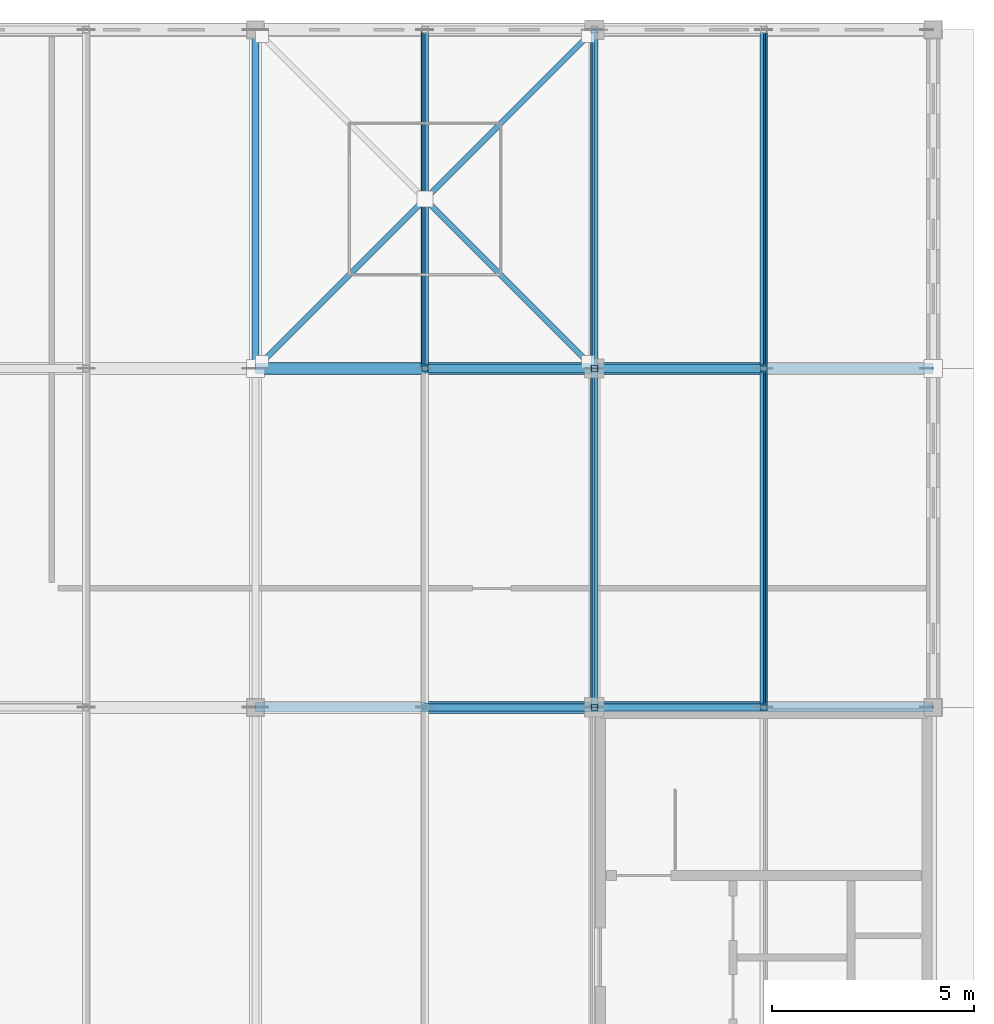
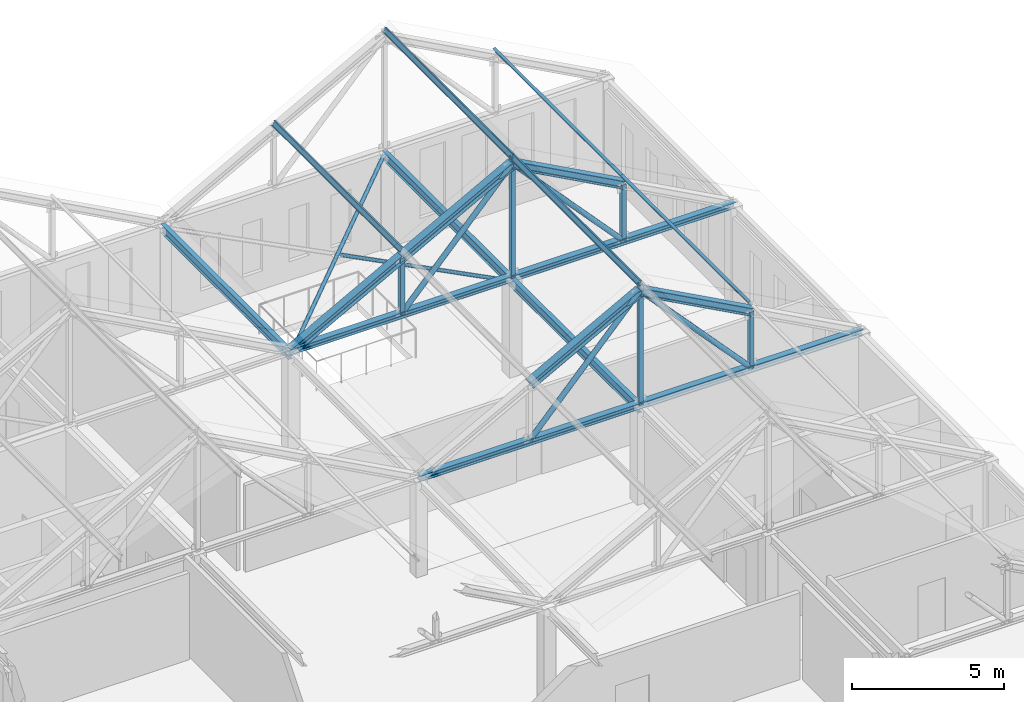
# One storey, part 13 of 36: 23 members, 3 beams.
"""IFC4 building model written with IfcOpenShell, lengths in metres."""

from ifc_helpers import new_model, si_unit, direction, frame, origin, origin_2d, place, context, subcontext, project, spatial, hollow_rectangle, hollow_circle, i_section, extrude, material, material_profile, profile_set, type_object, element, save


model = new_model("IFC4")

# Units and contexts
model_context = context("Model", 3, precision=1e-05, world=origin(), true_north=direction((0.0, 1.0)))
body_context = subcontext(model_context, "Body", "Model", "MODEL_VIEW")
ifc_project = project(units=[si_unit("LENGTHUNIT", "METRE"), si_unit("AREAUNIT", "SQUARE_METRE"), si_unit("VOLUMEUNIT", "CUBIC_METRE"), si_unit("PLANEANGLEUNIT", "RADIAN"), si_unit("MASSUNIT", "GRAM", prefix="KILO")], contexts=[model_context])

# Site, building, storey
site_placement = place(None, origin())
site = spatial("IfcSite", under=ifc_project, at=site_placement, CompositionType="ELEMENT")
building_placement = place(site_placement, origin())
building = spatial("IfcBuilding", under=site, at=building_placement, Name="Kveldsbrygga Polytechnic", CompositionType="ELEMENT")
storey_placement = place(building_placement, frame((0.0, 0.0, 26.179931640625)))
storey = spatial("IfcBuildingStorey", under=building, at=storey_placement, Name="L06", CompositionType="ELEMENT", Elevation=26.179931640625)

# Beams
ifc_material = material(Name="Steel S355", Category="steel")
ifc_material_profile_1 = material_profile(ifc_material, i_section(OverallWidth=0.169921875, OverallDepth=0.360107421875, WebThickness=0.008056640625, FlangeThickness=0.0126953125, FilletRadius=0.01806640625, at=origin_2d()), Name="IPE 360")
ifc_profile_set_1 = profile_set([ifc_material_profile_1], Name="Steel S355")
beam_type = type_object("IfcBeamType", Name="BM-STL-IPE360", PredefinedType="BEAM", material=ifc_profile_set_1)
beam_1_placement = place(storey_placement, frame((142.800048828125, 92.39990234375, 3.66015625), z_axis=(0.0, 1.0, 0.0), x_axis=(-1.0, 0.0, 0.0)))
element("IfcBeam", 1, at=beam_1_placement, inside=storey, type_object=beam_type, Name="Attic Eaves Tie Beam BMY-L06-TOP-17-11", PredefinedType="BEAM", context=body_context, shape_type="SweptSolid", body=[
    extrude(i_section(OverallWidth=0.169921875, OverallDepth=0.360107421875, WebThickness=0.008056640625, FlangeThickness=0.0126953125, FilletRadius=0.01806640625, at=origin_2d()), origin(), (0.0, 0.0, 1.0), 8.400146484375),
])
beam_2_placement = place(storey_placement, frame((151.199951171875, 84.0, 3.66015625), z_axis=(0.0, 1.0, 0.0), x_axis=(-1.0, 0.0, 0.0)))
element("IfcBeam", 2, at=beam_2_placement, inside=storey, type_object=beam_type, Name="Attic Eaves Tie Beam BMY-L06-TOP-18-10", PredefinedType="BEAM", context=body_context, shape_type="SweptSolid", body=[
    extrude(i_section(OverallWidth=0.169921875, OverallDepth=0.360107421875, WebThickness=0.008056640625, FlangeThickness=0.0126953125, FilletRadius=0.01806640625, at=origin_2d()), origin(), (0.0, 0.0, 1.0), 8.39990234375),
])
beam_3_placement = place(storey_placement, frame((151.199951171875, 92.39990234375, 3.66015625), z_axis=(0.0, 1.0, 0.0), x_axis=(-1.0, 0.0, 0.0)))
element("IfcBeam", 3, at=beam_3_placement, inside=storey, type_object=beam_type, Name="Attic Eaves Tie Beam BMY-L06-TOP-18-11", PredefinedType="BEAM", context=body_context, shape_type="SweptSolid", body=[
    extrude(i_section(OverallWidth=0.169921875, OverallDepth=0.360107421875, WebThickness=0.008056640625, FlangeThickness=0.0126953125, FilletRadius=0.01806640625, at=origin_2d()), origin(), (0.0, 0.0, 1.0), 8.400146484375),
])

# Members
ifc_material_profile_2 = material_profile(ifc_material, hollow_circle(Radius=0.06982421875, WallThickness=0.008056640625, at=origin_2d()), Name="CHS 139.7x8.0")
ifc_profile_set_2 = profile_set([ifc_material_profile_2], Name="Steel S355")
member_type_1 = type_object("IfcMemberType", Name="BR-ROOF-CHS140", PredefinedType="BRACE", material=ifc_profile_set_2)
member_1_placement = place(storey_placement, frame((142.800048828125, 92.39990234375, 3.670166015625), z_axis=(0.707096505339, 0.707117056885, 0.0), x_axis=(-0.707117056885, 0.707096505339, 0.0)))
element("IfcMember", 4, at=member_1_placement, inside=storey, type_object=member_type_1, Name="Attic Eaves Continuous Wind Brace RBR-L06-17-11-A", PredefinedType="BRACE", context=body_context, shape_type="SweptSolid", body=[
    extrude(hollow_circle(Radius=0.06982421875, WallThickness=0.008056640625, at=origin_2d()), origin(), (0.0, 0.0, 1.0), 11.87939453125),
])
member_2_placement = place(storey_placement, frame((147.063720703125, 96.536376953125, 3.670166015625), z_axis=(0.707085913038, -0.707127648719, 0.0), x_axis=(0.707127648719, 0.707085913038, 0.0)))
element("IfcMember", 5, at=member_2_placement, inside=storey, type_object=member_type_1, Name="Attic Eaves Split Wind Brace RBR-L06-17-11-B2", PredefinedType="BRACE", context=body_context, shape_type="SweptSolid", body=[
    extrude(hollow_circle(Radius=0.06982421875, WallThickness=0.008056640625, at=origin_2d()), origin(), (0.0, 0.0, 1.0), 5.849609375),
])
ifc_material_profile_3 = material_profile(ifc_material, i_section(OverallWidth=0.10009765625, OverallDepth=0.199951171875, WebThickness=0.005615234375, FlangeThickness=0.008544921875, FilletRadius=0.011962890625, at=origin_2d()), Name="IPE 200")
ifc_profile_set_3 = profile_set([ifc_material_profile_3], Name="Steel S355")
member_type_2 = type_object("IfcMemberType", Name="PRL-IPE200", PredefinedType="PURLIN", material=ifc_profile_set_3)
for number, where, z_axis, x_axis, name in (
    (6, (151.199951171875, 84.0, 8.668701171875), (0.0, 1.0, 0.0), (-0.879292204483, 0.0, 0.476282709256), "Roof Purlin V4M2-PRL-9-2"),
    (7, (155.39990234375, 84.0, 6.393798828125), (0.0, 1.0, 0.0), (-0.879292204483, 0.0, -0.476282709256), "Roof Purlin V4M2-PRL-9-3"),
):
    element("IfcMember", number, at=place(storey_placement, frame(where, z_axis=z_axis, x_axis=x_axis)), inside=storey, type_object=member_type_2, Name=name, PredefinedType="PURLIN", context=body_context, shape_type="SweptSolid", body=[
        extrude(i_section(OverallWidth=0.10009765625, OverallDepth=0.199951171875, WebThickness=0.005615234375, FlangeThickness=0.008544921875, FilletRadius=0.011962890625, at=origin_2d()), origin(), (0.0, 0.0, 1.0), 8.39990234375),
    ])
for number, where, z_axis, x_axis, name in (
    (8, (147.0, 92.39990234375, 6.393798828125), (0.0, 1.0, 0.0), (-0.879292204483, 0.0, 0.476282709256), "Roof Purlin V4M2-PRL-10-1"),
    (9, (151.199951171875, 92.39990234375, 8.668701171875), (0.0, 1.0, 0.0), (-0.879292204483, 0.0, 0.476282709256), "Roof Purlin V4M2-PRL-10-2"),
    (10, (155.39990234375, 92.39990234375, 6.393798828125), (0.0, 1.0, 0.0), (-0.879292204483, 0.0, -0.476282709256), "Roof Purlin V4M2-PRL-10-3"),
):
    element("IfcMember", number, at=place(storey_placement, frame(where, z_axis=z_axis, x_axis=x_axis)), inside=storey, type_object=member_type_2, Name=name, PredefinedType="PURLIN", context=body_context, shape_type="SweptSolid", body=[
        extrude(i_section(OverallWidth=0.10009765625, OverallDepth=0.199951171875, WebThickness=0.005615234375, FlangeThickness=0.008544921875, FilletRadius=0.011962890625, at=origin_2d()), origin(), (0.0, 0.0, 1.0), 8.400146484375),
    ])
ifc_material_profile_4 = material_profile(ifc_material, i_section(OverallWidth=0.239990234375, OverallDepth=0.22998046875, WebThickness=0.007568359375, FlangeThickness=0.011962890625, FilletRadius=0.02099609375, at=origin_2d()), Name="HEA 240")
ifc_profile_set_4 = profile_set([ifc_material_profile_4], Name="Steel S355")
member_type_3 = type_object("IfcMemberType", Name="TR-BOT-HEA240", PredefinedType="CHORD", material=ifc_profile_set_4)
for number, where, z_axis, x_axis, name in (
    (11, (142.800048828125, 84.0, 3.840087890625), (1.0, 0.0, 0.0), (0.0, 1.0, 0.0), "Truss Bottom Chord V4M2-T09-BC-1"),
    (12, (142.800048828125, 92.39990234375, 3.840087890625), (1.0, 0.0, 0.0), (0.0, 1.0, 0.0), "Truss Bottom Chord V4M2-T10-BC-1"),
):
    element("IfcMember", number, at=place(storey_placement, frame(where, z_axis=z_axis, x_axis=x_axis)), inside=storey, type_object=member_type_3, Name=name, PredefinedType="CHORD", context=body_context, shape_type="SweptSolid", body=[
        extrude(i_section(OverallWidth=0.239990234375, OverallDepth=0.22998046875, WebThickness=0.007568359375, FlangeThickness=0.011962890625, FilletRadius=0.02099609375, at=origin_2d()), origin(), (0.0, 0.0, 1.0), 16.800048828125),
    ])
ifc_material_profile_5 = material_profile(ifc_material, hollow_circle(Radius=0.096923828125, WallThickness=0.010009765625, at=origin_2d()), Name="CHS 193.7x10.0")
ifc_profile_set_5 = profile_set([ifc_material_profile_5], Name="Steel S355")
member_type_4 = type_object("IfcMemberType", Name="TR-DIAG-CHS194", PredefinedType="BRACE", material=ifc_profile_set_5)
for number, where, z_axis, x_axis, name in (
    (13, (147.0, 84.0, 3.840087890625), (0.678271914864, 0.0, 0.734811002576), (0.0, 1.0, 0.0), "Truss Diagonal V4M2-T09-DG-2"),
    (14, (151.199951171875, 84.0, 8.39013671875), (0.678271914864, 0.0, -0.734811002576), (0.0, 1.0, 0.0), "Truss Diagonal V4M2-T09-DG-3"),
    (15, (147.0, 92.39990234375, 3.840087890625), (0.678271914864, 0.0, 0.734811002576), (0.0, 1.0, 0.0), "Truss Diagonal V4M2-T10-DG-2"),
    (16, (151.199951171875, 92.39990234375, 8.39013671875), (0.678271914864, 0.0, -0.734811002576), (0.0, 1.0, 0.0), "Truss Diagonal V4M2-T10-DG-3"),
):
    element("IfcMember", number, at=place(storey_placement, frame(where, z_axis=z_axis, x_axis=x_axis)), inside=storey, type_object=member_type_4, Name=name, PredefinedType="BRACE", context=body_context, shape_type="SweptSolid", body=[
        extrude(hollow_circle(Radius=0.096923828125, WallThickness=0.010009765625, at=origin_2d()), origin(), (0.0, 0.0, 1.0), 6.192138671875),
    ])
ifc_material_profile_6 = material_profile(ifc_material, hollow_rectangle(XDim=0.159912109375, YDim=0.159912109375, WallThickness=0.010009765625, at=origin_2d()), Name="SHS 160x160x10.0")
ifc_profile_set_6 = profile_set([ifc_material_profile_6], Name="Steel S355")
member_type_5 = type_object("IfcMemberType", Name="TR-POST-SHS160", PredefinedType="STRUT", material=ifc_profile_set_6)
member_3_placement = place(storey_placement, frame((151.199951171875, 84.0, 3.840087890625), z_axis=(0.0, 0.0, 1.0), x_axis=(1.0, 0.0, 0.0)))
element("IfcMember", 17, at=member_3_placement, inside=storey, type_object=member_type_5, Name="Truss Vertical V4M2-T09-VT-2", PredefinedType="STRUT", context=body_context, shape_type="SweptSolid", body=[
    extrude(hollow_rectangle(XDim=0.159912109375, YDim=0.159912109375, WallThickness=0.010009765625, at=origin_2d()), origin(), (0.0, 0.0, 1.0), 4.82861328125),
])
for number, where, z_axis, x_axis, name in (
    (18, (155.39990234375, 84.0, 3.840087890625), (0.0, 0.0, 1.0), (1.0, 0.0, 0.0), "Truss Vertical V4M2-T09-VT-3"),
    (19, (147.0, 92.39990234375, 3.840087890625), (0.0, 0.0, 1.0), (1.0, 0.0, 0.0), "Truss Vertical V4M2-T10-VT-1"),
):
    element("IfcMember", number, at=place(storey_placement, frame(where, z_axis=z_axis, x_axis=x_axis)), inside=storey, type_object=member_type_5, Name=name, PredefinedType="STRUT", context=body_context, shape_type="SweptSolid", body=[
        extrude(hollow_rectangle(XDim=0.159912109375, YDim=0.159912109375, WallThickness=0.010009765625, at=origin_2d()), origin(), (0.0, 0.0, 1.0), 2.27490234375),
    ])
member_4_placement = place(storey_placement, frame((151.199951171875, 92.39990234375, 3.840087890625), z_axis=(0.0, 0.0, 1.0), x_axis=(1.0, 0.0, 0.0)))
element("IfcMember", 20, at=member_4_placement, inside=storey, type_object=member_type_5, Name="Truss Vertical V4M2-T10-VT-2", PredefinedType="STRUT", context=body_context, shape_type="SweptSolid", body=[
    extrude(hollow_rectangle(XDim=0.159912109375, YDim=0.159912109375, WallThickness=0.010009765625, at=origin_2d()), origin(), (0.0, 0.0, 1.0), 4.82861328125),
])
member_5_placement = place(storey_placement, frame((155.39990234375, 92.39990234375, 3.840087890625), z_axis=(0.0, 0.0, 1.0), x_axis=(1.0, 0.0, 0.0)))
element("IfcMember", 21, at=member_5_placement, inside=storey, type_object=member_type_5, Name="Truss Vertical V4M2-T10-VT-3", PredefinedType="STRUT", context=body_context, shape_type="SweptSolid", body=[
    extrude(hollow_rectangle(XDim=0.159912109375, YDim=0.159912109375, WallThickness=0.010009765625, at=origin_2d()), origin(), (0.0, 0.0, 1.0), 2.27490234375),
])
ifc_material_profile_7 = material_profile(ifc_material, i_section(OverallWidth=0.300048828125, OverallDepth=0.2900390625, WebThickness=0.008544921875, FlangeThickness=0.013916015625, FilletRadius=0.027099609375, at=origin_2d()), Name="HEA 300")
ifc_profile_set_7 = profile_set([ifc_material_profile_7], Name="Steel S355")
member_type_6 = type_object("IfcMemberType", Name="TR-TOP-HEA300", PredefinedType="CHORD", material=ifc_profile_set_7)
for number, where, z_axis, x_axis, name in (
    (22, (147.0, 84.0, 6.114990234375), (0.879276804059, 0.0, 0.476311139744), (0.0, 1.0, 0.0), "Truss Top Chord V4M2-T09-TC-2"),
    (23, (151.199951171875, 84.0, 8.39013671875), (0.879276804059, 0.0, -0.476311139744), (0.0, 1.0, 0.0), "Truss Top Chord V4M2-T09-TC-3"),
):
    element("IfcMember", number, at=place(storey_placement, frame(where, z_axis=z_axis, x_axis=x_axis)), inside=storey, type_object=member_type_6, Name=name, PredefinedType="CHORD", context=body_context, shape_type="SweptSolid", body=[
        extrude(i_section(OverallWidth=0.300048828125, OverallDepth=0.2900390625, WebThickness=0.008544921875, FlangeThickness=0.013916015625, FilletRadius=0.027099609375, at=origin_2d()), origin(), (0.0, 0.0, 1.0), 4.776611328125),
    ])
member_6_placement = place(storey_placement, frame((142.800048828125, 92.39990234375, 3.840087890625), z_axis=(0.879298209803, 0.0, 0.47627162233), x_axis=(0.0, 1.0, 0.0)))
element("IfcMember", 24, at=member_6_placement, inside=storey, type_object=member_type_6, Name="Truss Top Chord V4M2-T10-TC-1", PredefinedType="CHORD", context=body_context, shape_type="SweptSolid", body=[
    extrude(i_section(OverallWidth=0.300048828125, OverallDepth=0.2900390625, WebThickness=0.008544921875, FlangeThickness=0.013916015625, FilletRadius=0.027099609375, at=origin_2d()), origin(), (0.0, 0.0, 1.0), 4.7763671875),
])
for number, where, z_axis, x_axis, name in (
    (25, (147.0, 92.39990234375, 6.114990234375), (0.879276804059, 0.0, 0.476311139744), (0.0, 1.0, 0.0), "Truss Top Chord V4M2-T10-TC-2"),
    (26, (151.199951171875, 92.39990234375, 8.39013671875), (0.879276804059, 0.0, -0.476311139744), (0.0, 1.0, 0.0), "Truss Top Chord V4M2-T10-TC-3"),
):
    element("IfcMember", number, at=place(storey_placement, frame(where, z_axis=z_axis, x_axis=x_axis)), inside=storey, type_object=member_type_6, Name=name, PredefinedType="CHORD", context=body_context, shape_type="SweptSolid", body=[
        extrude(i_section(OverallWidth=0.300048828125, OverallDepth=0.2900390625, WebThickness=0.008544921875, FlangeThickness=0.013916015625, FilletRadius=0.027099609375, at=origin_2d()), origin(), (0.0, 0.0, 1.0), 4.776611328125),
    ])

save(model, "model.ifc")
